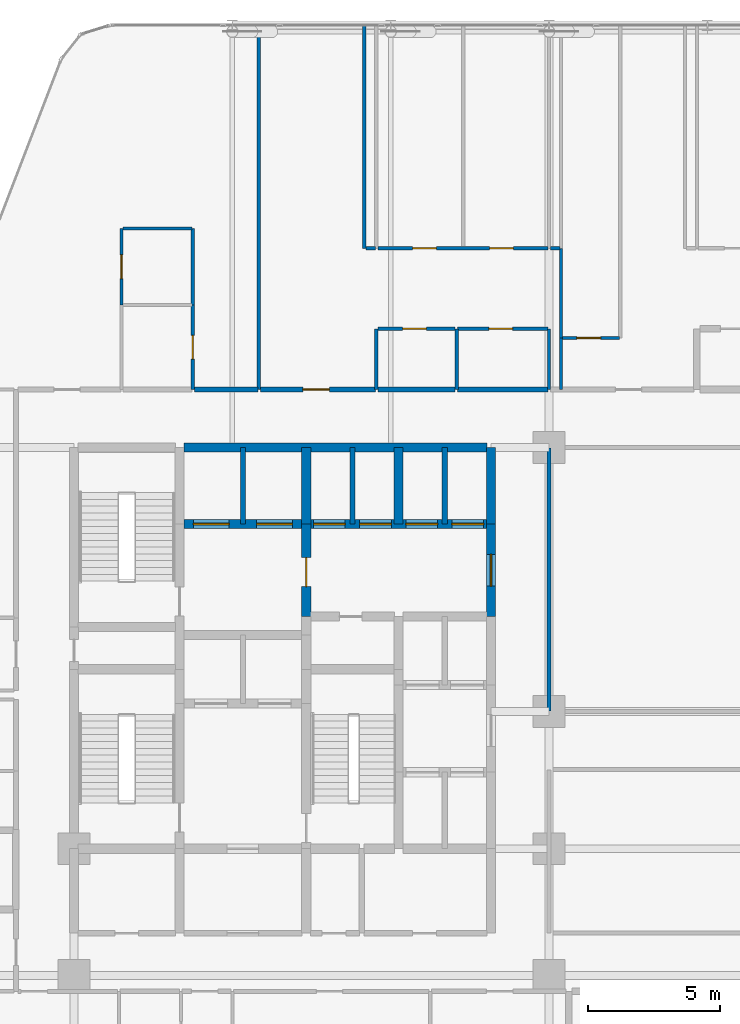
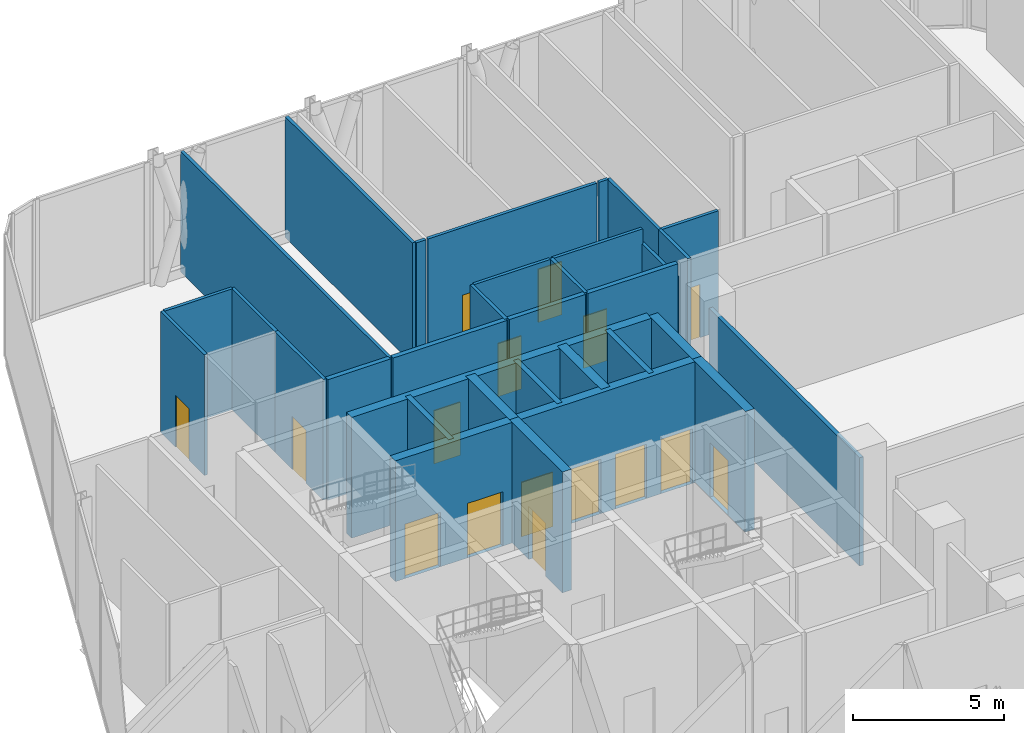
# One storey, part 33 of 36: 32 walls, 16 doors, 16 openings.
"""IFC4 building model written with IfcOpenShell, lengths in metres."""

from ifc_helpers import new_model, si_unit, direction, frame, frame_2d, origin, place, context, subcontext, project, spatial, rectangle, extrude, material, layer, layer_set, type_object, element, fill, save


model = new_model("IFC4")

# Units and contexts
model_context = context("Model", 3, precision=1e-05, world=origin(), true_north=direction((0.0, 1.0)))
body_context = subcontext(model_context, "Body", "Model", "MODEL_VIEW")
ifc_project = project(units=[si_unit("LENGTHUNIT", "METRE"), si_unit("AREAUNIT", "SQUARE_METRE"), si_unit("VOLUMEUNIT", "CUBIC_METRE"), si_unit("PLANEANGLEUNIT", "RADIAN"), si_unit("MASSUNIT", "GRAM", prefix="KILO")], contexts=[model_context])

# Site, building, storey
site_placement = place(None, origin())
site = spatial("IfcSite", under=ifc_project, at=site_placement, CompositionType="ELEMENT")
building_placement = place(site_placement, origin())
building = spatial("IfcBuilding", under=site, at=building_placement, Name="Keshet Zoharim Tower", CompositionType="ELEMENT")
storey_placement = place(building_placement, frame((0.0, 0.0, 81.199951171875)))
storey = spatial("IfcBuildingStorey", under=building, at=storey_placement, Name="L19", CompositionType="ELEMENT", Elevation=81.199951171875)

# Wall
ifc_material_1 = material(Name="Gypsum Plasterboard", Category="gypsum")
ifc_layer_1 = layer(ifc_material_1, 0.14990234375)
ifc_layer_set_1 = layer_set([ifc_layer_1], Name="Gypsum Plasterboard")
wall_type_1 = type_object("IfcWallType", Name="WL-CLIN-150", PredefinedType="STANDARD", material=ifc_layer_set_1)
wall_1_placement = place(storey_placement, frame((33.0, 27.909912109375, 0.0), z_axis=(0.0, 0.0, 1.0), x_axis=(0.0, 1.0, 0.0)))
element("IfcWall", 1, at=wall_1_placement, inside=storey, type_object=wall_type_1, Name="L19 Interior Wall 066", PredefinedType="STANDARD", context=body_context, shape_type="SweptSolid", body=[
    extrude(rectangle(XDim=9.97998046875, YDim=0.14990234375, at=frame_2d((4.989990234375, 0.0))), origin(), (0.0, 0.0, 1.0), 4.385009765625),
])

# Wall, opening, door
ifc_material_2 = material(Name="Concrete C60/75", Category="concrete")
ifc_layer_2 = layer(ifc_material_2, 0.35009765625)
ifc_layer_set_2 = layer_set([ifc_layer_2], Name="Concrete C60/75")
wall_type_2 = type_object("IfcWallType", Name="WL-CORE-350", PredefinedType="SHEAR", material=ifc_layer_set_2)
wall_2_placement = place(storey_placement, frame((23.800048828125, 31.5, 0.0), z_axis=(0.0, 0.0, 1.0), x_axis=(0.0, 1.0, 0.0)))
wall_2 = element("IfcWall", 2, at=wall_2_placement, inside=storey, type_object=wall_type_2, Name="L19 Core Shear Wall 039", PredefinedType="SHEAR", context=body_context, shape_type="SweptSolid", body=[
    extrude(rectangle(XDim=3.5, YDim=0.35009765625, at=frame_2d((1.75, 0.0))), origin(), (0.0, 0.0, 1.0), 4.885009765625),
])
opening_1_placement = place(wall_2_placement, frame((1.126953125, 0.0, 0.0)))
opening_1 = element("IfcOpeningElement", 3, at=opening_1_placement, cuts=wall_2, Name="Opening D-F611", PredefinedType="OPENING", context=body_context, shape_type="SweptSolid", body=[
    extrude(rectangle(XDim=1.10009765625, YDim=2.14990234375, at=frame_2d((0.550048828125, 1.074951171875))), frame((0.0, 0.18505859375, 0.0), z_axis=(0.0, -1.0, 0.0), x_axis=(1.0, 0.0, 0.0)), (0.0, 0.0, 1.0), 0.3701171875),
])
ifc_material_3 = material(Name="Hardwood Timber", Category="wood")
door_type_1 = type_object("IfcDoorType", Name="DR-FD60-110", OperationType="NOTDEFINED", PredefinedType="DOOR", material=ifc_material_3)
door_1_placement = place(opening_1_placement, origin())
door_1 = element("IfcDoor", 4, at=door_1_placement, inside=storey, type_object=door_type_1, Name="L19 Firefighting Lobby Fire Door", OperationType="SINGLE_SWING_RIGHT", OverallHeight=2.14990234375, OverallWidth=1.10009765625, PredefinedType="DOOR", context=body_context, shape_type="SweptSolid", body=[
    extrude(rectangle(XDim=1.10009765625, YDim=2.14990234375, at=frame_2d((0.550048828125, 1.074951171875))), frame((0.0, 0.02490234375, 0.0), z_axis=(0.0, -1.0, 0.0), x_axis=(1.0, 0.0, 0.0)), (0.0, 0.0, 1.0), 0.050048828125),
])
fill(opening_1, door_1)

# Walls
for number, where, z_axis, x_axis, name in (
    (5, (23.800048828125, 35.0, 0.0), (0.0, 0.0, 1.0), (0.0, 1.0, 0.0), "L19 Core Shear Wall 040"),
    (6, (27.300048828125, 35.0, 0.0), (0.0, 0.0, 1.0), (0.0, 1.0, 0.0), "L19 Core Shear Wall 050"),
):
    element("IfcWall", number, at=place(storey_placement, frame(where, z_axis=z_axis, x_axis=x_axis)), inside=storey, type_object=wall_type_2, Name=name, PredefinedType="SHEAR", context=body_context, shape_type="SweptSolid", body=[
        extrude(rectangle(XDim=2.89990234375, YDim=0.35009765625, at=frame_2d((1.449951171875, 0.0))), origin(), (0.0, 0.0, 1.0), 4.885009765625),
    ])

# Wall, opening, door
wall_3_placement = place(storey_placement, frame((30.800048828125, 31.5, 0.0), z_axis=(0.0, 0.0, 1.0), x_axis=(0.0, 1.0, 0.0)))
wall_3 = element("IfcWall", 7, at=wall_3_placement, inside=storey, type_object=wall_type_2, Name="L19 Core Shear Wall 063", PredefinedType="SHEAR", context=body_context, shape_type="SweptSolid", body=[
    extrude(rectangle(XDim=3.5, YDim=0.35009765625, at=frame_2d((1.75, 0.0))), origin(), (0.0, 0.0, 1.0), 4.885009765625),
])
opening_2_placement = place(wall_3_placement, frame((1.14990234375, 0.0, 0.0)))
opening_2 = element("IfcOpeningElement", 8, at=opening_2_placement, cuts=wall_3, Name="Opening D-F612", PredefinedType="OPENING", context=body_context, shape_type="SweptSolid", body=[
    extrude(rectangle(XDim=1.199951171875, YDim=2.199951171875, at=frame_2d((0.60009765625, 1.10009765625))), frame((0.0, 0.18505859375, 0.0), z_axis=(0.0, -1.0, 0.0), x_axis=(1.0, 0.0, 0.0)), (0.0, 0.0, 1.0), 0.3701171875),
])
door_type_2 = type_object("IfcDoorType", Name="DR-FD60-120", OperationType="NOTDEFINED", PredefinedType="DOOR", material=ifc_material_3)
door_2_placement = place(opening_2_placement, origin())
door_2 = element("IfcDoor", 9, at=door_2_placement, inside=storey, type_object=door_type_2, Name="L19 North Lift Lobby East Fire Door", OperationType="SINGLE_SWING_RIGHT", OverallHeight=2.199951171875, OverallWidth=1.199951171875, PredefinedType="DOOR", context=body_context, shape_type="SweptSolid", body=[
    extrude(rectangle(XDim=1.199951171875, YDim=2.199951171875, at=frame_2d((0.60009765625, 1.10009765625))), frame((0.0, 0.02490234375, 0.0), z_axis=(0.0, -1.0, 0.0), x_axis=(1.0, 0.0, 0.0)), (0.0, 0.0, 1.0), 0.050048828125),
])
fill(opening_2, door_2)

# Wall
wall_4_placement = place(storey_placement, frame((30.800048828125, 35.0, 0.0), z_axis=(0.0, 0.0, 1.0), x_axis=(0.0, 1.0, 0.0)))
element("IfcWall", 10, at=wall_4_placement, inside=storey, type_object=wall_type_2, Name="L19 Core Shear Wall 064", PredefinedType="SHEAR", context=body_context, shape_type="SweptSolid", body=[
    extrude(rectangle(XDim=2.89990234375, YDim=0.35009765625, at=frame_2d((1.449951171875, 0.0))), origin(), (0.0, 0.0, 1.0), 4.885009765625),
])

# Wall, openings, doors
wall_5_placement = place(storey_placement, frame((19.159912109375, 35.0, 0.0), z_axis=(0.0, 0.0, 1.0), x_axis=(1.0, 0.0, 0.0)))
wall_5 = element("IfcWall", 11, at=wall_5_placement, inside=storey, type_object=wall_type_2, Name="L19 Core Shear Wall 185", PredefinedType="SHEAR", context=body_context, shape_type="SweptSolid", body=[
    extrude(rectangle(XDim=11.47998046875, YDim=0.35009765625, at=frame_2d((5.739990234375, 0.0))), origin(), (0.0, 0.0, 1.0), 4.885009765625),
])
opening_3_placement = place(wall_5_placement, frame((0.364990234375, 0.0, 0.0)))
opening_3 = element("IfcOpeningElement", 12, at=opening_3_placement, cuts=wall_5, Name="Opening LD-02", PredefinedType="OPENING", context=body_context, shape_type="SweptSolid", body=[
    extrude(rectangle(XDim=1.35009765625, YDim=2.199951171875, at=frame_2d((0.675048828125, 1.10009765625))), frame((0.0, 0.18505859375, 0.0), z_axis=(0.0, -1.0, 0.0), x_axis=(1.0, 0.0, 0.0)), (0.0, 0.0, 1.0), 0.3701171875),
])
opening_4_placement = place(wall_5_placement, frame((2.764892578125, 0.0, 0.0)))
opening_4 = element("IfcOpeningElement", 13, at=opening_4_placement, cuts=wall_5, Name="Opening LD-02", PredefinedType="OPENING", context=body_context, shape_type="SweptSolid", body=[
    extrude(rectangle(XDim=1.35009765625, YDim=2.199951171875, at=frame_2d((0.675048828125, 1.10009765625))), frame((0.0, 0.18505859375, 0.0), z_axis=(0.0, -1.0, 0.0), x_axis=(1.0, 0.0, 0.0)), (0.0, 0.0, 1.0), 0.3701171875),
])
opening_5_placement = place(wall_5_placement, frame((4.9150390625, 0.0, 0.0)))
opening_5 = element("IfcOpeningElement", 14, at=opening_5_placement, cuts=wall_5, Name="Opening LD-03", PredefinedType="OPENING", context=body_context, shape_type="SweptSolid", body=[
    extrude(rectangle(XDim=1.199951171875, YDim=2.199951171875, at=frame_2d((0.60009765625, 1.10009765625))), frame((0.0, 0.18505859375, 0.0), z_axis=(0.0, -1.0, 0.0), x_axis=(1.0, 0.0, 0.0)), (0.0, 0.0, 1.0), 0.3701171875),
])
opening_6_placement = place(wall_5_placement, frame((6.6650390625, 0.0, 0.0)))
opening_6 = element("IfcOpeningElement", 15, at=opening_6_placement, cuts=wall_5, Name="Opening LD-03", PredefinedType="OPENING", context=body_context, shape_type="SweptSolid", body=[
    extrude(rectangle(XDim=1.199951171875, YDim=2.199951171875, at=frame_2d((0.60009765625, 1.10009765625))), frame((0.0, 0.18505859375, 0.0), z_axis=(0.0, -1.0, 0.0), x_axis=(1.0, 0.0, 0.0)), (0.0, 0.0, 1.0), 0.3701171875),
])
opening_7_placement = place(wall_5_placement, frame((8.4150390625, 0.0, 0.0)))
opening_7 = element("IfcOpeningElement", 16, at=opening_7_placement, cuts=wall_5, Name="Opening LD-03", PredefinedType="OPENING", context=body_context, shape_type="SweptSolid", body=[
    extrude(rectangle(XDim=1.199951171875, YDim=2.199951171875, at=frame_2d((0.60009765625, 1.10009765625))), frame((0.0, 0.18505859375, 0.0), z_axis=(0.0, -1.0, 0.0), x_axis=(1.0, 0.0, 0.0)), (0.0, 0.0, 1.0), 0.3701171875),
])
opening_8_placement = place(wall_5_placement, frame((10.159912109375, 0.0, 0.0)))
opening_8 = element("IfcOpeningElement", 17, at=opening_8_placement, cuts=wall_5, Name="Opening LD-03", PredefinedType="OPENING", context=body_context, shape_type="SweptSolid", body=[
    extrude(rectangle(XDim=1.199951171875, YDim=2.199951171875, at=frame_2d((0.60009765625, 1.10009765625))), frame((0.0, 0.18505859375, 0.0), z_axis=(0.0, -1.0, 0.0), x_axis=(1.0, 0.0, 0.0)), (0.0, 0.0, 1.0), 0.3701171875),
])
ifc_material_4 = material(Name="Steel S355", Category="steel")
door_type_3 = type_object("IfcDoorType", Name="DR-LD02-135", OperationType="DOUBLE_DOOR_SLIDING", PredefinedType="DOOR", material=ifc_material_4)
door_3_placement = place(opening_3_placement, origin())
door_3 = element("IfcDoor", 18, at=door_3_placement, inside=storey, type_object=door_type_3, Name="L19 Firefighting Lift Landing Door FF-01", OperationType="DOUBLE_DOOR_SLIDING", OverallHeight=2.199951171875, OverallWidth=1.35009765625, PredefinedType="DOOR", context=body_context, shape_type="SweptSolid", body=[
    extrude(rectangle(XDim=1.35009765625, YDim=2.199951171875, at=frame_2d((0.675048828125, 1.10009765625))), frame((0.0, 0.02490234375, 0.0), z_axis=(0.0, -1.0, 0.0), x_axis=(1.0, 0.0, 0.0)), (0.0, 0.0, 1.0), 0.050048828125),
])
fill(opening_3, door_3)
door_4_placement = place(opening_4_placement, origin())
door_4 = element("IfcDoor", 19, at=door_4_placement, inside=storey, type_object=door_type_3, Name="L19 Firefighting Lift Landing Door FF-02", OperationType="DOUBLE_DOOR_SLIDING", OverallHeight=2.199951171875, OverallWidth=1.35009765625, PredefinedType="DOOR", context=body_context, shape_type="SweptSolid", body=[
    extrude(rectangle(XDim=1.35009765625, YDim=2.199951171875, at=frame_2d((0.675048828125, 1.10009765625))), frame((0.0, 0.02490234375, 0.0), z_axis=(0.0, -1.0, 0.0), x_axis=(1.0, 0.0, 0.0)), (0.0, 0.0, 1.0), 0.050048828125),
])
fill(opening_4, door_4)
door_type_4 = type_object("IfcDoorType", Name="DR-LD03-120", OperationType="DOUBLE_DOOR_SLIDING", PredefinedType="DOOR", material=ifc_material_4)
door_5_placement = place(opening_5_placement, origin())
door_5 = element("IfcDoor", 20, at=door_5_placement, inside=storey, type_object=door_type_4, Name="L19 Passenger Lift Landing Door LF-01", OperationType="DOUBLE_DOOR_SLIDING", OverallHeight=2.199951171875, OverallWidth=1.199951171875, PredefinedType="DOOR", context=body_context, shape_type="SweptSolid", body=[
    extrude(rectangle(XDim=1.199951171875, YDim=2.199951171875, at=frame_2d((0.60009765625, 1.10009765625))), frame((0.0, 0.02490234375, 0.0), z_axis=(0.0, -1.0, 0.0), x_axis=(1.0, 0.0, 0.0)), (0.0, 0.0, 1.0), 0.050048828125),
])
fill(opening_5, door_5)
door_6_placement = place(opening_6_placement, origin())
door_6 = element("IfcDoor", 21, at=door_6_placement, inside=storey, type_object=door_type_4, Name="L19 Passenger Lift Landing Door LF-02", OperationType="DOUBLE_DOOR_SLIDING", OverallHeight=2.199951171875, OverallWidth=1.199951171875, PredefinedType="DOOR", context=body_context, shape_type="SweptSolid", body=[
    extrude(rectangle(XDim=1.199951171875, YDim=2.199951171875, at=frame_2d((0.60009765625, 1.10009765625))), frame((0.0, 0.02490234375, 0.0), z_axis=(0.0, -1.0, 0.0), x_axis=(1.0, 0.0, 0.0)), (0.0, 0.0, 1.0), 0.050048828125),
])
fill(opening_6, door_6)
door_7_placement = place(opening_7_placement, origin())
door_7 = element("IfcDoor", 22, at=door_7_placement, inside=storey, type_object=door_type_4, Name="L19 Passenger Lift Landing Door LF-03", OperationType="DOUBLE_DOOR_SLIDING", OverallHeight=2.199951171875, OverallWidth=1.199951171875, PredefinedType="DOOR", context=body_context, shape_type="SweptSolid", body=[
    extrude(rectangle(XDim=1.199951171875, YDim=2.199951171875, at=frame_2d((0.60009765625, 1.10009765625))), frame((0.0, 0.02490234375, 0.0), z_axis=(0.0, -1.0, 0.0), x_axis=(1.0, 0.0, 0.0)), (0.0, 0.0, 1.0), 0.050048828125),
])
fill(opening_7, door_7)
door_8_placement = place(opening_8_placement, origin())
door_8 = element("IfcDoor", 23, at=door_8_placement, inside=storey, type_object=door_type_4, Name="L19 Passenger Lift Landing Door LF-04", OperationType="DOUBLE_DOOR_SLIDING", OverallHeight=2.199951171875, OverallWidth=1.199951171875, PredefinedType="DOOR", context=body_context, shape_type="SweptSolid", body=[
    extrude(rectangle(XDim=1.199951171875, YDim=2.199951171875, at=frame_2d((0.60009765625, 1.10009765625))), frame((0.0, 0.02490234375, 0.0), z_axis=(0.0, -1.0, 0.0), x_axis=(1.0, 0.0, 0.0)), (0.0, 0.0, 1.0), 0.050048828125),
])
fill(opening_8, door_8)

# Walls
wall_6_placement = place(storey_placement, frame((19.159912109375, 37.89990234375, 0.0), z_axis=(0.0, 0.0, 1.0), x_axis=(1.0, 0.0, 0.0)))
element("IfcWall", 24, at=wall_6_placement, inside=storey, type_object=wall_type_2, Name="L19 Core Shear Wall 187", PredefinedType="SHEAR", context=body_context, shape_type="SweptSolid", body=[
    extrude(rectangle(XDim=11.47998046875, YDim=0.35009765625, at=frame_2d((5.739990234375, 0.0))), origin(), (0.0, 0.0, 1.0), 4.885009765625),
])
ifc_layer_3 = layer(ifc_material_1, 0.179931640625)
ifc_layer_set_3 = layer_set([ifc_layer_3], Name="Gypsum Plasterboard")
wall_type_3 = type_object("IfcWallType", Name="WL-CORR-180", PredefinedType="STANDARD", material=ifc_layer_set_3)
wall_7_placement = place(storey_placement, frame((19.56494140625, 40.10009765625, 0.0), z_axis=(0.0, 0.0, 1.0), x_axis=(1.0, 0.0, 0.0)))
element("IfcWall", 25, at=wall_7_placement, inside=storey, type_object=wall_type_3, Name="L19 Interior Wall 192", PredefinedType="STANDARD", context=body_context, shape_type="SweptSolid", body=[
    extrude(rectangle(XDim=2.41015625, YDim=0.179931640625, at=frame_2d((1.205078125, 0.0))), origin(), (0.0, 0.0, 1.0), 4.885009765625),
])

# Wall, opening, door
wall_8_placement = place(storey_placement, frame((22.06494140625, 40.10009765625, 0.0), z_axis=(0.0, 0.0, 1.0), x_axis=(1.0, 0.0, 0.0)))
wall_8 = element("IfcWall", 26, at=wall_8_placement, inside=storey, type_object=wall_type_3, Name="L19 Interior Wall 193", PredefinedType="STANDARD", context=body_context, shape_type="SweptSolid", body=[
    extrude(rectangle(XDim=4.360107421875, YDim=0.179931640625, at=frame_2d((2.18017578125, 0.0))), origin(), (0.0, 0.0, 1.0), 4.885009765625),
])
opening_9_placement = place(wall_8_placement, frame((1.610107421875, 0.0, 0.0)))
opening_9 = element("IfcOpeningElement", 27, at=opening_9_placement, cuts=wall_8, Name="Opening D-F310", PredefinedType="OPENING", context=body_context, shape_type="SweptSolid", body=[
    extrude(rectangle(XDim=1.0, YDim=2.14990234375, at=frame_2d((0.5, 1.074951171875))), frame((0.0, 0.10009765625, 0.0), z_axis=(0.0, -1.0, 0.0), x_axis=(1.0, 0.0, 0.0)), (0.0, 0.0, 1.0), 0.199951171875),
])
door_type_5 = type_object("IfcDoorType", Name="DR-FD30-100", OperationType="NOTDEFINED", PredefinedType="DOOR", material=ifc_material_3)
door_9_placement = place(opening_9_placement, origin())
door_9 = element("IfcDoor", 28, at=door_9_placement, inside=storey, type_object=door_type_5, Name="Apartment 1906 Entrance Door", OperationType="SINGLE_SWING_RIGHT", OverallHeight=2.14990234375, OverallWidth=1.0, PredefinedType="DOOR", context=body_context, shape_type="SweptSolid", body=[
    extrude(rectangle(XDim=1.0, YDim=2.14990234375, at=frame_2d((0.5, 1.074951171875))), frame((0.0, 0.02490234375, 0.0), z_axis=(0.0, -1.0, 0.0), x_axis=(1.0, 0.0, 0.0)), (0.0, 0.0, 1.0), 0.050048828125),
])
fill(opening_9, door_9)

# Walls
wall_9_placement = place(storey_placement, frame((26.514892578125, 40.10009765625, 0.0), z_axis=(0.0, 0.0, 1.0), x_axis=(1.0, 0.0, 0.0)))
element("IfcWall", 29, at=wall_9_placement, inside=storey, type_object=wall_type_3, Name="L19 Interior Wall 194", PredefinedType="STANDARD", context=body_context, shape_type="SweptSolid", body=[
    extrude(rectangle(XDim=2.918212890625, YDim=0.179931640625, at=frame_2d((1.458984375, 0.0))), origin(), (0.0, 0.0, 1.0), 4.885009765625),
])
wall_10_placement = place(storey_placement, frame((29.52294921875, 40.10009765625, 0.0), z_axis=(0.0, 0.0, 1.0), x_axis=(1.0, 0.0, 0.0)))
element("IfcWall", 30, at=wall_10_placement, inside=storey, type_object=wall_type_3, Name="L19 Interior Wall 195", PredefinedType="STANDARD", context=body_context, shape_type="SweptSolid", body=[
    extrude(rectangle(XDim=3.442138671875, YDim=0.179931640625, at=frame_2d((1.72119140625, 0.0))), origin(), (0.0, 0.0, 1.0), 4.885009765625),
])
ifc_material_5 = material(Name="Concrete C50/60", Category="concrete")
ifc_layer_4 = layer(ifc_material_5, 0.199951171875)
ifc_layer_set_4 = layer_set([ifc_layer_4], Name="Concrete C50/60")
wall_type_4 = type_object("IfcWallType", Name="WL-FIRE-200", PredefinedType="STANDARD", material=ifc_layer_set_4)
for number, where, z_axis, x_axis, name in (
    (31, (21.39990234375, 35.0, 0.0), (0.0, 0.0, 1.0), (0.0, 1.0, 0.0), "L19 Interior Wall 032"),
    (32, (25.550048828125, 35.0, 0.0), (0.0, 0.0, 1.0), (0.0, 1.0, 0.0), "L19 Interior Wall 041"),
    (33, (29.050048828125, 35.0, 0.0), (0.0, 0.0, 1.0), (0.0, 1.0, 0.0), "L19 Interior Wall 055"),
):
    element("IfcWall", number, at=place(storey_placement, frame(where, z_axis=z_axis, x_axis=x_axis)), inside=storey, type_object=wall_type_4, Name=name, PredefinedType="STANDARD", context=body_context, shape_type="SweptSolid", body=[
        extrude(rectangle(XDim=2.89990234375, YDim=0.199951171875, at=frame_2d((1.449951171875, 0.0))), origin(), (0.0, 0.0, 1.0), 4.885009765625),
    ])

# Wall, opening, door
ifc_layer_5 = layer(ifc_material_1, 0.1201171875)
ifc_layer_set_5 = layer_set([ifc_layer_5], Name="Gypsum Plasterboard")
wall_type_5 = type_object("IfcWallType", Name="WL-PART-120", PredefinedType="PARTITIONING", material=ifc_layer_set_5)
wall_11_placement = place(storey_placement, frame((19.5, 40.10009765625, 0.0), z_axis=(0.0, 0.0, 1.0), x_axis=(0.0, 1.0, 0.0)))
wall_11 = element("IfcWall", 34, at=wall_11_placement, inside=storey, type_object=wall_type_5, Name="L19 Interior Wall 028", PredefinedType="PARTITIONING", context=body_context, shape_type="SweptSolid", body=[
    extrude(rectangle(XDim=3.199951171875, YDim=0.1201171875, at=frame_2d((1.60009765625, 0.0))), origin(), (0.0, 0.0, 1.0), 4.885009765625),
])
opening_10_placement = place(wall_11_placement, frame((1.14990234375, 0.0, 0.0)))
opening_10 = element("IfcOpeningElement", 35, at=opening_10_placement, cuts=wall_11, Name="Opening D-IN90", PredefinedType="OPENING", context=body_context, shape_type="SweptSolid", body=[
    extrude(rectangle(XDim=0.89990234375, YDim=2.14990234375, at=frame_2d((0.449951171875, 1.074951171875))), frame((0.0, 0.070068359375, 0.0), z_axis=(0.0, -1.0, 0.0), x_axis=(1.0, 0.0, 0.0)), (0.0, 0.0, 1.0), 0.14013671875),
])
door_type_6 = type_object("IfcDoorType", Name="DR-INT-090", OperationType="NOTDEFINED", PredefinedType="DOOR", material=ifc_material_3)
door_10_placement = place(opening_10_placement, origin())
door_10 = element("IfcDoor", 36, at=door_10_placement, inside=storey, type_object=door_type_6, Name="Apartment 1905 Kitchenette Door", OperationType="SINGLE_SWING_RIGHT", OverallHeight=2.14990234375, OverallWidth=0.89990234375, PredefinedType="DOOR", context=body_context, shape_type="SweptSolid", body=[
    extrude(rectangle(XDim=0.89990234375, YDim=2.14990234375, at=frame_2d((0.449951171875, 1.074951171875))), frame((0.0, 0.02490234375, 0.0), z_axis=(0.0, -1.0, 0.0), x_axis=(1.0, 0.0, 0.0)), (0.0, 0.0, 1.0), 0.050048828125),
])
fill(opening_10, door_10)

# Walls
wall_12_placement = place(storey_placement, frame((22.0, 40.10009765625, 0.0), z_axis=(0.0, 0.0, 1.0), x_axis=(0.0, 1.0, 0.0)))
element("IfcWall", 37, at=wall_12_placement, inside=storey, type_object=wall_type_5, Name="L19 Interior Wall 033", PredefinedType="PARTITIONING", context=body_context, shape_type="SweptSolid", body=[
    extrude(rectangle(XDim=13.789794921875, YDim=0.1201171875, at=frame_2d((6.89501953125, 0.0))), origin(), (0.0, 0.0, 1.0), 4.885009765625),
])
wall_13_placement = place(storey_placement, frame((26.0, 45.449951171875, 0.0), z_axis=(0.0, 0.0, 1.0), x_axis=(0.0, 1.0, 0.0)))
element("IfcWall", 38, at=wall_13_placement, inside=storey, type_object=wall_type_5, Name="L19 Interior Wall 043", PredefinedType="PARTITIONING", context=body_context, shape_type="SweptSolid", body=[
    extrude(rectangle(XDim=8.43994140625, YDim=0.1201171875, at=frame_2d((4.219970703125, 0.0))), origin(), (0.0, 0.0, 1.0), 4.885009765625),
])
wall_14_placement = place(storey_placement, frame((26.449951171875, 40.10009765625, 0.0), z_axis=(0.0, 0.0, 1.0), x_axis=(0.0, 1.0, 0.0)))
element("IfcWall", 39, at=wall_14_placement, inside=storey, type_object=wall_type_5, Name="L19 Interior Wall 044", PredefinedType="PARTITIONING", context=body_context, shape_type="SweptSolid", body=[
    extrude(rectangle(XDim=2.2998046875, YDim=0.1201171875, at=frame_2d((1.14990234375, 0.0))), origin(), (0.0, 0.0, 1.0), 4.885009765625),
])
wall_15_placement = place(storey_placement, frame((33.449951171875, 40.10009765625, 0.0), z_axis=(0.0, 0.0, 1.0), x_axis=(0.0, 1.0, 0.0)))
element("IfcWall", 40, at=wall_15_placement, inside=storey, type_object=wall_type_5, Name="L19 Interior Wall 070", PredefinedType="PARTITIONING", context=body_context, shape_type="SweptSolid", body=[
    extrude(rectangle(XDim=1.949951171875, YDim=0.1201171875, at=frame_2d((0.97509765625, 0.0))), origin(), (0.0, 0.0, 1.0), 4.885009765625),
])
wall_16_placement = place(storey_placement, frame((33.449951171875, 42.050048828125, 0.0), z_axis=(0.0, 0.0, 1.0), x_axis=(0.0, 1.0, 0.0)))
element("IfcWall", 41, at=wall_16_placement, inside=storey, type_object=wall_type_5, Name="L19 Interior Wall 071", PredefinedType="PARTITIONING", context=body_context, shape_type="SweptSolid", body=[
    extrude(rectangle(XDim=3.39990234375, YDim=0.1201171875, at=frame_2d((1.699951171875, 0.0))), origin(), (0.0, 0.0, 1.0), 4.885009765625),
])

# Wall, opening, door
wall_17_placement = place(storey_placement, frame((33.5048828125, 42.050048828125, 0.0), z_axis=(0.0, 0.0, 1.0), x_axis=(1.0, 0.0, 0.0)))
wall_17 = element("IfcWall", 42, at=wall_17_placement, inside=storey, type_object=wall_type_5, Name="L19 Interior Wall 206", PredefinedType="PARTITIONING", context=body_context, shape_type="SweptSolid", body=[
    extrude(rectangle(XDim=2.16015625, YDim=0.1201171875, at=frame_2d((1.080078125, 0.0))), origin(), (0.0, 0.0, 1.0), 4.885009765625),
])
opening_11_placement = place(wall_17_placement, frame((0.552978515625, 0.0, 0.0)))
opening_11 = element("IfcOpeningElement", 43, at=opening_11_placement, cuts=wall_17, Name="Opening D-IN90", PredefinedType="OPENING", context=body_context, shape_type="SweptSolid", body=[
    extrude(rectangle(XDim=0.89990234375, YDim=2.14990234375, at=frame_2d((0.449951171875, 1.074951171875))), frame((0.0, 0.070068359375, 0.0), z_axis=(0.0, -1.0, 0.0), x_axis=(1.0, 0.0, 0.0)), (0.0, 0.0, 1.0), 0.14013671875),
])
door_11_placement = place(opening_11_placement, origin())
door_11 = element("IfcDoor", 44, at=door_11_placement, inside=storey, type_object=door_type_6, Name="Apartment 1907 Formal Dining Room Door", OperationType="SINGLE_SWING_LEFT", OverallHeight=2.14990234375, OverallWidth=0.89990234375, PredefinedType="DOOR", context=body_context, shape_type="SweptSolid", body=[
    extrude(rectangle(XDim=0.89990234375, YDim=2.14990234375, at=frame_2d((0.449951171875, 1.074951171875))), frame((0.0, 0.02490234375, 0.0), z_axis=(0.0, -1.0, 0.0), x_axis=(1.0, 0.0, 0.0)), (0.0, 0.0, 1.0), 0.050048828125),
])
fill(opening_11, door_11)

wall_18_placement = place(storey_placement, frame((26.514892578125, 42.39990234375, 0.0), z_axis=(0.0, 0.0, 1.0), x_axis=(1.0, 0.0, 0.0)))
wall_18 = element("IfcWall", 45, at=wall_18_placement, inside=storey, type_object=wall_type_5, Name="L19 Interior Wall 207", PredefinedType="PARTITIONING", context=body_context, shape_type="SweptSolid", body=[
    extrude(rectangle(XDim=2.918212890625, YDim=0.1201171875, at=frame_2d((1.458984375, 0.0))), origin(), (0.0, 0.0, 1.0), 4.885009765625),
])
opening_12_placement = place(wall_18_placement, frame((0.93603515625, 0.0, 0.0)))
opening_12 = element("IfcOpeningElement", 46, at=opening_12_placement, cuts=wall_18, Name="Opening D-IN90", PredefinedType="OPENING", context=body_context, shape_type="SweptSolid", body=[
    extrude(rectangle(XDim=0.89990234375, YDim=2.14990234375, at=frame_2d((0.449951171875, 1.074951171875))), frame((0.0, 0.070068359375, 0.0), z_axis=(0.0, -1.0, 0.0), x_axis=(1.0, 0.0, 0.0)), (0.0, 0.0, 1.0), 0.14013671875),
])
door_12_placement = place(opening_12_placement, origin())
door_12 = element("IfcDoor", 47, at=door_12_placement, inside=storey, type_object=door_type_6, Name="Apartment 1906 Kitchen Door", OperationType="SINGLE_SWING_RIGHT", OverallHeight=2.14990234375, OverallWidth=0.89990234375, PredefinedType="DOOR", context=body_context, shape_type="SweptSolid", body=[
    extrude(rectangle(XDim=0.89990234375, YDim=2.14990234375, at=frame_2d((0.449951171875, 1.074951171875))), frame((0.0, 0.02490234375, 0.0), z_axis=(0.0, -1.0, 0.0), x_axis=(1.0, 0.0, 0.0)), (0.0, 0.0, 1.0), 0.050048828125),
])
fill(opening_12, door_12)

# Wall
wall_19_placement = place(storey_placement, frame((26.06494140625, 45.449951171875, 0.0), z_axis=(0.0, 0.0, 1.0), x_axis=(1.0, 0.0, 0.0)))
element("IfcWall", 48, at=wall_19_placement, inside=storey, type_object=wall_type_5, Name="L19 Interior Wall 215", PredefinedType="PARTITIONING", context=body_context, shape_type="SweptSolid", body=[
    extrude(rectangle(XDim=0.360107421875, YDim=0.1201171875, at=frame_2d((0.18017578125, 0.0))), origin(), (0.0, 0.0, 1.0), 4.885009765625),
])

# Wall, openings, doors
wall_20_placement = place(storey_placement, frame((26.514892578125, 45.449951171875, 0.0), z_axis=(0.0, 0.0, 1.0), x_axis=(1.0, 0.0, 0.0)))
wall_20 = element("IfcWall", 49, at=wall_20_placement, inside=storey, type_object=wall_type_5, Name="L19 Interior Wall 216", PredefinedType="PARTITIONING", context=body_context, shape_type="SweptSolid", body=[
    extrude(rectangle(XDim=6.4501953125, YDim=0.1201171875, at=frame_2d((3.22509765625, 0.0))), origin(), (0.0, 0.0, 1.0), 4.885009765625),
])
opening_13_placement = place(wall_20_placement, frame((1.31494140625, 0.0, 0.0)))
opening_13 = element("IfcOpeningElement", 50, at=opening_13_placement, cuts=wall_20, Name="Opening D-IN90", PredefinedType="OPENING", context=body_context, shape_type="SweptSolid", body=[
    extrude(rectangle(XDim=0.89990234375, YDim=2.14990234375, at=frame_2d((0.449951171875, 1.074951171875))), frame((0.0, 0.070068359375, 0.0), z_axis=(0.0, -1.0, 0.0), x_axis=(1.0, 0.0, 0.0)), (0.0, 0.0, 1.0), 0.14013671875),
])
opening_14_placement = place(wall_20_placement, frame((4.235107421875, 0.0, 0.0)))
opening_14 = element("IfcOpeningElement", 51, at=opening_14_placement, cuts=wall_20, Name="Opening D-IN90", PredefinedType="OPENING", context=body_context, shape_type="SweptSolid", body=[
    extrude(rectangle(XDim=0.89990234375, YDim=2.14990234375, at=frame_2d((0.449951171875, 1.074951171875))), frame((0.0, 0.070068359375, 0.0), z_axis=(0.0, -1.0, 0.0), x_axis=(1.0, 0.0, 0.0)), (0.0, 0.0, 1.0), 0.14013671875),
])
door_13_placement = place(opening_13_placement, origin())
door_13 = element("IfcDoor", 52, at=door_13_placement, inside=storey, type_object=door_type_6, Name="Apartment 1906 Bedroom 1 Door", OperationType="SINGLE_SWING_LEFT", OverallHeight=2.14990234375, OverallWidth=0.89990234375, PredefinedType="DOOR", context=body_context, shape_type="SweptSolid", body=[
    extrude(rectangle(XDim=0.89990234375, YDim=2.14990234375, at=frame_2d((0.449951171875, 1.074951171875))), frame((0.0, 0.02490234375, 0.0), z_axis=(0.0, -1.0, 0.0), x_axis=(1.0, 0.0, 0.0)), (0.0, 0.0, 1.0), 0.050048828125),
])
fill(opening_13, door_13)
door_14_placement = place(opening_14_placement, origin())
door_14 = element("IfcDoor", 53, at=door_14_placement, inside=storey, type_object=door_type_6, Name="Apartment 1906 Bedroom 2 Door", OperationType="SINGLE_SWING_RIGHT", OverallHeight=2.14990234375, OverallWidth=0.89990234375, PredefinedType="DOOR", context=body_context, shape_type="SweptSolid", body=[
    extrude(rectangle(XDim=0.89990234375, YDim=2.14990234375, at=frame_2d((0.449951171875, 1.074951171875))), frame((0.0, 0.02490234375, 0.0), z_axis=(0.0, -1.0, 0.0), x_axis=(1.0, 0.0, 0.0)), (0.0, 0.0, 1.0), 0.050048828125),
])
fill(opening_14, door_14)

# Wall
wall_21_placement = place(storey_placement, frame((33.054931640625, 45.449951171875, 0.0), z_axis=(0.0, 0.0, 1.0), x_axis=(1.0, 0.0, 0.0)))
element("IfcWall", 54, at=wall_21_placement, inside=storey, type_object=wall_type_5, Name="L19 Interior Wall 217", PredefinedType="PARTITIONING", context=body_context, shape_type="SweptSolid", body=[
    extrude(rectangle(XDim=0.360107421875, YDim=0.1201171875, at=frame_2d((0.18017578125, 0.0))), origin(), (0.0, 0.0, 1.0), 4.885009765625),
])

# Wall, opening, door
ifc_layer_6 = layer(ifc_material_1, 0.1201171875)
ifc_layer_set_6 = layer_set([ifc_layer_6], Name="Gypsum Plasterboard")
wall_type_6 = type_object("IfcWallType", Name="WL-WET-120", PredefinedType="PARTITIONING", material=ifc_layer_set_6)
wall_22_placement = place(storey_placement, frame((16.800048828125, 43.300048828125, 0.0), z_axis=(0.0, 0.0, 1.0), x_axis=(0.0, 1.0, 0.0)))
wall_22 = element("IfcWall", 55, at=wall_22_placement, inside=storey, type_object=wall_type_6, Name="L19 Interior Wall 020", PredefinedType="PARTITIONING", context=body_context, shape_type="SweptSolid", body=[
    extrude(rectangle(XDim=2.89990234375, YDim=0.1201171875, at=frame_2d((1.449951171875, 0.0))), origin(), (0.0, 0.0, 1.0), 4.885009765625),
])
opening_15_placement = place(wall_22_placement, frame((1.0, 0.0, 0.0)))
opening_15 = element("IfcOpeningElement", 56, at=opening_15_placement, cuts=wall_22, Name="Opening D-WT90", PredefinedType="OPENING", context=body_context, shape_type="SweptSolid", body=[
    extrude(rectangle(XDim=0.89990234375, YDim=2.10009765625, at=frame_2d((0.449951171875, 1.050048828125))), frame((0.0, 0.070068359375, 0.0), z_axis=(0.0, -1.0, 0.0), x_axis=(1.0, 0.0, 0.0)), (0.0, 0.0, 1.0), 0.14013671875),
])
door_type_7 = type_object("IfcDoorType", Name="DR-WET-090", OperationType="NOTDEFINED", PredefinedType="DOOR", material=ifc_material_3)
door_15_placement = place(opening_15_placement, origin())
door_15 = element("IfcDoor", 57, at=door_15_placement, inside=storey, type_object=door_type_7, Name="Apartment 1905 Bathroom Door", OperationType="SINGLE_SWING_LEFT", OverallHeight=2.10009765625, OverallWidth=0.89990234375, PredefinedType="DOOR", context=body_context, shape_type="SweptSolid", body=[
    extrude(rectangle(XDim=0.89990234375, YDim=2.10009765625, at=frame_2d((0.449951171875, 1.050048828125))), frame((0.0, 0.02490234375, 0.0), z_axis=(0.0, -1.0, 0.0), x_axis=(1.0, 0.0, 0.0)), (0.0, 0.0, 1.0), 0.050048828125),
])
fill(opening_15, door_15)

# Walls
wall_23_placement = place(storey_placement, frame((19.5, 43.300048828125, 0.0), z_axis=(0.0, 0.0, 1.0), x_axis=(0.0, 1.0, 0.0)))
element("IfcWall", 58, at=wall_23_placement, inside=storey, type_object=wall_type_6, Name="L19 Interior Wall 029", PredefinedType="PARTITIONING", context=body_context, shape_type="SweptSolid", body=[
    extrude(rectangle(XDim=2.89990234375, YDim=0.1201171875, at=frame_2d((1.449951171875, 0.0))), origin(), (0.0, 0.0, 1.0), 4.885009765625),
])
wall_24_placement = place(storey_placement, frame((29.5, 40.10009765625, 0.0), z_axis=(0.0, 0.0, 1.0), x_axis=(0.0, 1.0, 0.0)))
element("IfcWall", 59, at=wall_24_placement, inside=storey, type_object=wall_type_6, Name="L19 Interior Wall 056", PredefinedType="PARTITIONING", context=body_context, shape_type="SweptSolid", body=[
    extrude(rectangle(XDim=2.2998046875, YDim=0.1201171875, at=frame_2d((1.14990234375, 0.0))), origin(), (0.0, 0.0, 1.0), 4.885009765625),
])
wall_25_placement = place(storey_placement, frame((33.0, 40.10009765625, 0.0), z_axis=(0.0, 0.0, 1.0), x_axis=(0.0, 1.0, 0.0)))
element("IfcWall", 60, at=wall_25_placement, inside=storey, type_object=wall_type_6, Name="L19 Interior Wall 067", PredefinedType="PARTITIONING", context=body_context, shape_type="SweptSolid", body=[
    extrude(rectangle(XDim=2.2998046875, YDim=0.1201171875, at=frame_2d((1.14990234375, 0.0))), origin(), (0.0, 0.0, 1.0), 4.28515625),
])

# Wall, opening, door
wall_26_placement = place(storey_placement, frame((29.52294921875, 42.39990234375, 0.0), z_axis=(0.0, 0.0, 1.0), x_axis=(1.0, 0.0, 0.0)))
wall_26 = element("IfcWall", 61, at=wall_26_placement, inside=storey, type_object=wall_type_6, Name="L19 Interior Wall 208", PredefinedType="PARTITIONING", context=body_context, shape_type="SweptSolid", body=[
    extrude(rectangle(XDim=3.442138671875, YDim=0.1201171875, at=frame_2d((1.72119140625, 0.0))), origin(), (0.0, 0.0, 1.0), 4.885009765625),
])
opening_16_placement = place(wall_26_placement, frame((1.199951171875, 0.0, 0.0)))
opening_16 = element("IfcOpeningElement", 62, at=opening_16_placement, cuts=wall_26, Name="Opening D-WT90", PredefinedType="OPENING", context=body_context, shape_type="SweptSolid", body=[
    extrude(rectangle(XDim=0.89990234375, YDim=2.10009765625, at=frame_2d((0.449951171875, 1.050048828125))), frame((0.0, 0.070068359375, 0.0), z_axis=(0.0, -1.0, 0.0), x_axis=(1.0, 0.0, 0.0)), (0.0, 0.0, 1.0), 0.14013671875),
])
door_16_placement = place(opening_16_placement, origin())
door_16 = element("IfcDoor", 63, at=door_16_placement, inside=storey, type_object=door_type_7, Name="Apartment 1906 Bathroom Door", OperationType="SINGLE_SWING_LEFT", OverallHeight=2.10009765625, OverallWidth=0.89990234375, PredefinedType="DOOR", context=body_context, shape_type="SweptSolid", body=[
    extrude(rectangle(XDim=0.89990234375, YDim=2.10009765625, at=frame_2d((0.449951171875, 1.050048828125))), frame((0.0, 0.02490234375, 0.0), z_axis=(0.0, -1.0, 0.0), x_axis=(1.0, 0.0, 0.0)), (0.0, 0.0, 1.0), 0.050048828125),
])
fill(opening_16, door_16)

# Wall
wall_27_placement = place(storey_placement, frame((16.864990234375, 46.199951171875, 0.0), z_axis=(0.0, 0.0, 1.0), x_axis=(1.0, 0.0, 0.0)))
element("IfcWall", 64, at=wall_27_placement, inside=storey, type_object=wall_type_6, Name="L19 Interior Wall 223", PredefinedType="PARTITIONING", context=body_context, shape_type="SweptSolid", body=[
    extrude(rectangle(XDim=2.610107421875, YDim=0.1201171875, at=frame_2d((1.30517578125, 0.0))), origin(), (0.0, 0.0, 1.0), 4.885009765625),
])

save(model, "model.ifc")
